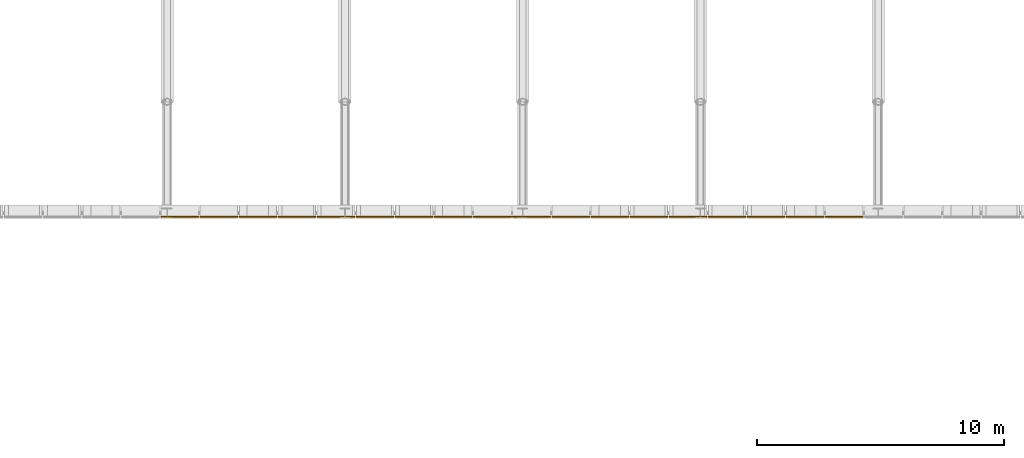
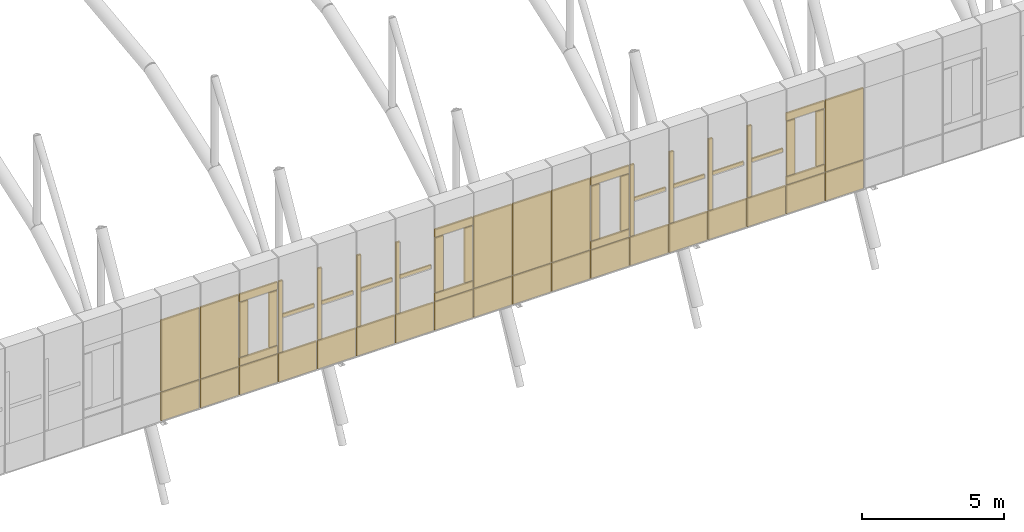
# One storey, part 133 of 144: 56 coverings.
"""IFC4 building model written with IfcOpenShell, lengths in metres."""

from ifc_helpers import new_model, si_unit, direction, frame, origin, origin_2d, place, context, subcontext, project, spatial, rectangle, extrude, material, layer, layer_set, type_object, element, save


model = new_model("IFC4")

# Units and contexts
model_context = context("Model", 3, precision=1e-05, world=origin(), true_north=direction((0.0, 1.0)))
body_context = subcontext(model_context, "Body", "Model", "MODEL_VIEW")
ifc_project = project(units=[si_unit("LENGTHUNIT", "METRE"), si_unit("AREAUNIT", "SQUARE_METRE"), si_unit("VOLUMEUNIT", "CUBIC_METRE"), si_unit("PLANEANGLEUNIT", "RADIAN"), si_unit("MASSUNIT", "GRAM", prefix="KILO")], contexts=[model_context])

# Site, building, storey
site_placement = place(None, origin())
site = spatial("IfcSite", under=ifc_project, at=site_placement, CompositionType="ELEMENT")
building_placement = place(site_placement, origin())
building = spatial("IfcBuilding", under=site, at=building_placement, Name="Yarey Park Central Fire Station", CompositionType="ELEMENT")
storey_placement = place(building_placement, frame((0.0, 0.0, 10.199951171875)))
storey = spatial("IfcBuildingStorey", under=building, at=storey_placement, Name="L03", CompositionType="ELEMENT", Elevation=10.199951171875)

# Coverings
ifc_material = material(Name="Perforated Powder-Coated Aluminium Cladding", Category="aluminium")
ifc_layer_1 = layer(ifc_material, 0.0419921875)
ifc_layer_set_1 = layer_set([ifc_layer_1], Name="Perforated Powder-Coated Aluminium Cladding")
covering_type_1 = type_object("IfcCoveringType", Name="ENV_COV_PERF_1", PredefinedType="CLADDING", material=ifc_layer_set_1)
covering_1_placement = place(storey_placement, frame((86.904052734375, 57.43994140625, -0.43505859375), z_axis=(0.0, 0.0, 1.0), x_axis=(1.0, 0.0, 0.0)))
element("IfcCovering", 1, at=covering_1_placement, inside=storey, type_object=covering_type_1, Name="PERF_L03_1436", PredefinedType="CLADDING", context=body_context, shape_type="SweptSolid", body=[
    extrude(rectangle(XDim=1.5439453125, YDim=0.0419921875, at=origin_2d()), origin(), (0.0, 0.0, 1.0), 1.219970703125),
])
covering_2_placement = place(storey_placement, frame((86.904052734375, 57.43994140625, 0.81494140625), z_axis=(0.0, 0.0, 1.0), x_axis=(1.0, 0.0, 0.0)))
element("IfcCovering", 2, at=covering_2_placement, inside=storey, type_object=covering_type_1, Name="PERF_L03_1437", PredefinedType="CLADDING", context=body_context, shape_type="SweptSolid", body=[
    extrude(rectangle(XDim=1.5439453125, YDim=0.0419921875, at=origin_2d()), origin(), (0.0, 0.0, 1.0), 3.070068359375),
])
covering_3_placement = place(storey_placement, frame((90.072021484375, 57.43994140625, -0.43505859375), z_axis=(0.0, 0.0, 1.0), x_axis=(1.0, 0.0, 0.0)))
element("IfcCovering", 3, at=covering_3_placement, inside=storey, type_object=covering_type_1, Name="PERF_L03_1442", PredefinedType="CLADDING", context=body_context, shape_type="SweptSolid", body=[
    extrude(rectangle(XDim=1.5439453125, YDim=0.0419921875, at=origin_2d()), origin(), (0.0, 0.0, 1.0), 1.219970703125),
])
for number, where, z_axis, x_axis, name in (
    (4, (90.072021484375, 57.43994140625, 0.81005859375), (0.0, 0.0, 1.0), (1.0, 0.0, 0.0), "PERF_L03_1443"),
    (5, (90.072021484375, 57.43994140625, 3.5498046875), (0.0, 0.0, 1.0), (1.0, 0.0, 0.0), "PERF_L03_1444"),
):
    element("IfcCovering", number, at=place(storey_placement, frame(where, z_axis=z_axis, x_axis=x_axis)), inside=storey, type_object=covering_type_1, Name=name, PredefinedType="CLADDING", context=body_context, shape_type="SweptSolid", body=[
        extrude(rectangle(XDim=1.5439453125, YDim=0.0419921875, at=origin_2d()), origin(), (0.0, 0.0, 1.0), 0.340087890625),
    ])
for number, where, z_axis, x_axis, name in (
    (6, (89.47998046875, 57.43994140625, 1.175048828125), (0.0, 0.0, 1.0), (1.0, 0.0, 0.0), "PERF_L03_1445"),
    (7, (90.6640625, 57.43994140625, 1.175048828125), (0.0, 0.0, 1.0), (1.0, 0.0, 0.0), "PERF_L03_1446"),
):
    element("IfcCovering", number, at=place(storey_placement, frame(where, z_axis=z_axis, x_axis=x_axis)), inside=storey, type_object=covering_type_1, Name=name, PredefinedType="CLADDING", context=body_context, shape_type="SweptSolid", body=[
        extrude(rectangle(XDim=0.340087890625, YDim=0.0419921875, at=origin_2d()), origin(), (0.0, 0.0, 1.0), 2.35009765625),
    ])
covering_4_placement = place(storey_placement, frame((93.239990234375, 57.43994140625, -0.43505859375), z_axis=(0.0, 0.0, 1.0), x_axis=(1.0, 0.0, 0.0)))
element("IfcCovering", 8, at=covering_4_placement, inside=storey, type_object=covering_type_1, Name="PERF_L03_1452", PredefinedType="CLADDING", context=body_context, shape_type="SweptSolid", body=[
    extrude(rectangle(XDim=1.5439453125, YDim=0.0419921875, at=origin_2d()), origin(), (0.0, 0.0, 1.0), 1.219970703125),
])
covering_5_placement = place(storey_placement, frame((92.55810546875, 57.43994140625, 0.81494140625), z_axis=(0.0, 0.0, 1.0), x_axis=(1.0, 0.0, 0.0)))
element("IfcCovering", 9, at=covering_5_placement, inside=storey, type_object=covering_type_1, Name="PERF_L03_1453", PredefinedType="CLADDING", context=body_context, shape_type="SweptSolid", body=[
    extrude(rectangle(XDim=0.159912109375, YDim=0.0419921875, at=origin_2d()), origin(), (0.0, 0.0, 1.0), 3.070068359375),
])
covering_6_placement = place(storey_placement, frame((93.239990234375, 57.43994140625, 2.27001953125), z_axis=(0.0, 0.0, 1.0), x_axis=(1.0, 0.0, 0.0)))
element("IfcCovering", 10, at=covering_6_placement, inside=storey, type_object=covering_type_1, Name="PERF_L03_1454", PredefinedType="CLADDING", context=body_context, shape_type="SweptSolid", body=[
    extrude(rectangle(XDim=1.343994140625, YDim=0.0419921875, at=origin_2d()), origin(), (0.0, 0.0, 1.0), 0.159912109375),
])
covering_7_placement = place(storey_placement, frame((96.407958984375, 57.43994140625, -0.43505859375), z_axis=(0.0, 0.0, 1.0), x_axis=(1.0, 0.0, 0.0)))
element("IfcCovering", 11, at=covering_7_placement, inside=storey, type_object=covering_type_1, Name="PERF_L03_1460", PredefinedType="CLADDING", context=body_context, shape_type="SweptSolid", body=[
    extrude(rectangle(XDim=1.5439453125, YDim=0.0419921875, at=origin_2d()), origin(), (0.0, 0.0, 1.0), 1.219970703125),
])
covering_8_placement = place(storey_placement, frame((95.72607421875, 57.43994140625, 0.81494140625), z_axis=(0.0, 0.0, 1.0), x_axis=(1.0, 0.0, 0.0)))
element("IfcCovering", 12, at=covering_8_placement, inside=storey, type_object=covering_type_1, Name="PERF_L03_1461", PredefinedType="CLADDING", context=body_context, shape_type="SweptSolid", body=[
    extrude(rectangle(XDim=0.159912109375, YDim=0.0419921875, at=origin_2d()), origin(), (0.0, 0.0, 1.0), 3.070068359375),
])
covering_9_placement = place(storey_placement, frame((96.407958984375, 57.43994140625, 2.27001953125), z_axis=(0.0, 0.0, 1.0), x_axis=(1.0, 0.0, 0.0)))
element("IfcCovering", 13, at=covering_9_placement, inside=storey, type_object=covering_type_1, Name="PERF_L03_1462", PredefinedType="CLADDING", context=body_context, shape_type="SweptSolid", body=[
    extrude(rectangle(XDim=1.343994140625, YDim=0.0419921875, at=origin_2d()), origin(), (0.0, 0.0, 1.0), 0.159912109375),
])
covering_10_placement = place(storey_placement, frame((99.575927734375, 57.43994140625, -0.43505859375), z_axis=(0.0, 0.0, 1.0), x_axis=(1.0, 0.0, 0.0)))
element("IfcCovering", 14, at=covering_10_placement, inside=storey, type_object=covering_type_1, Name="PERF_L03_1470", PredefinedType="CLADDING", context=body_context, shape_type="SweptSolid", body=[
    extrude(rectangle(XDim=1.5439453125, YDim=0.0419921875, at=origin_2d()), origin(), (0.0, 0.0, 1.0), 1.219970703125),
])
covering_11_placement = place(storey_placement, frame((99.575927734375, 57.43994140625, 0.81494140625), z_axis=(0.0, 0.0, 1.0), x_axis=(1.0, 0.0, 0.0)))
element("IfcCovering", 15, at=covering_11_placement, inside=storey, type_object=covering_type_1, Name="PERF_L03_1471", PredefinedType="CLADDING", context=body_context, shape_type="SweptSolid", body=[
    extrude(rectangle(XDim=1.5439453125, YDim=0.0419921875, at=origin_2d()), origin(), (0.0, 0.0, 1.0), 3.070068359375),
])
covering_12_placement = place(storey_placement, frame((102.743896484375, 57.43994140625, -0.43505859375), z_axis=(0.0, 0.0, 1.0), x_axis=(1.0, 0.0, 0.0)))
element("IfcCovering", 16, at=covering_12_placement, inside=storey, type_object=covering_type_1, Name="PERF_L03_1476", PredefinedType="CLADDING", context=body_context, shape_type="SweptSolid", body=[
    extrude(rectangle(XDim=1.5439453125, YDim=0.0419921875, at=origin_2d()), origin(), (0.0, 0.0, 1.0), 1.219970703125),
])
covering_13_placement = place(storey_placement, frame((102.743896484375, 57.43994140625, 0.81494140625), z_axis=(0.0, 0.0, 1.0), x_axis=(1.0, 0.0, 0.0)))
element("IfcCovering", 17, at=covering_13_placement, inside=storey, type_object=covering_type_1, Name="PERF_L03_1477", PredefinedType="CLADDING", context=body_context, shape_type="SweptSolid", body=[
    extrude(rectangle(XDim=1.5439453125, YDim=0.0419921875, at=origin_2d()), origin(), (0.0, 0.0, 1.0), 3.070068359375),
])
covering_14_placement = place(storey_placement, frame((105.912109375, 57.43994140625, -0.43505859375), z_axis=(0.0, 0.0, 1.0), x_axis=(1.0, 0.0, 0.0)))
element("IfcCovering", 18, at=covering_14_placement, inside=storey, type_object=covering_type_1, Name="PERF_L03_1485", PredefinedType="CLADDING", context=body_context, shape_type="SweptSolid", body=[
    extrude(rectangle(XDim=1.5439453125, YDim=0.0419921875, at=origin_2d()), origin(), (0.0, 0.0, 1.0), 1.219970703125),
])
covering_15_placement = place(storey_placement, frame((105.22998046875, 57.43994140625, 0.81494140625), z_axis=(0.0, 0.0, 1.0), x_axis=(1.0, 0.0, 0.0)))
element("IfcCovering", 19, at=covering_15_placement, inside=storey, type_object=covering_type_1, Name="PERF_L03_1486", PredefinedType="CLADDING", context=body_context, shape_type="SweptSolid", body=[
    extrude(rectangle(XDim=0.159912109375, YDim=0.0419921875, at=origin_2d()), origin(), (0.0, 0.0, 1.0), 3.070068359375),
])
covering_16_placement = place(storey_placement, frame((105.912109375, 57.43994140625, 2.27001953125), z_axis=(0.0, 0.0, 1.0), x_axis=(1.0, 0.0, 0.0)))
element("IfcCovering", 20, at=covering_16_placement, inside=storey, type_object=covering_type_1, Name="PERF_L03_1487", PredefinedType="CLADDING", context=body_context, shape_type="SweptSolid", body=[
    extrude(rectangle(XDim=1.343994140625, YDim=0.0419921875, at=origin_2d()), origin(), (0.0, 0.0, 1.0), 0.159912109375),
])
covering_17_placement = place(storey_placement, frame((109.080078125, 57.43994140625, -0.43505859375), z_axis=(0.0, 0.0, 1.0), x_axis=(1.0, 0.0, 0.0)))
element("IfcCovering", 21, at=covering_17_placement, inside=storey, type_object=covering_type_1, Name="PERF_L03_1493", PredefinedType="CLADDING", context=body_context, shape_type="SweptSolid", body=[
    extrude(rectangle(XDim=1.5439453125, YDim=0.0419921875, at=origin_2d()), origin(), (0.0, 0.0, 1.0), 1.219970703125),
])
covering_18_placement = place(storey_placement, frame((108.39794921875, 57.43994140625, 0.81494140625), z_axis=(0.0, 0.0, 1.0), x_axis=(1.0, 0.0, 0.0)))
element("IfcCovering", 22, at=covering_18_placement, inside=storey, type_object=covering_type_1, Name="PERF_L03_1494", PredefinedType="CLADDING", context=body_context, shape_type="SweptSolid", body=[
    extrude(rectangle(XDim=0.159912109375, YDim=0.0419921875, at=origin_2d()), origin(), (0.0, 0.0, 1.0), 3.070068359375),
])
covering_19_placement = place(storey_placement, frame((109.080078125, 57.43994140625, 2.27001953125), z_axis=(0.0, 0.0, 1.0), x_axis=(1.0, 0.0, 0.0)))
element("IfcCovering", 23, at=covering_19_placement, inside=storey, type_object=covering_type_1, Name="PERF_L03_1495", PredefinedType="CLADDING", context=body_context, shape_type="SweptSolid", body=[
    extrude(rectangle(XDim=1.343994140625, YDim=0.0419921875, at=origin_2d()), origin(), (0.0, 0.0, 1.0), 0.159912109375),
])
covering_20_placement = place(storey_placement, frame((112.248046875, 57.43994140625, -0.43505859375), z_axis=(0.0, 0.0, 1.0), x_axis=(1.0, 0.0, 0.0)))
element("IfcCovering", 24, at=covering_20_placement, inside=storey, type_object=covering_type_1, Name="PERF_L03_1501", PredefinedType="CLADDING", context=body_context, shape_type="SweptSolid", body=[
    extrude(rectangle(XDim=1.5439453125, YDim=0.0419921875, at=origin_2d()), origin(), (0.0, 0.0, 1.0), 1.219970703125),
])
for number, where, z_axis, x_axis, name in (
    (25, (112.248046875, 57.43994140625, 0.81005859375), (0.0, 0.0, 1.0), (1.0, 0.0, 0.0), "PERF_L03_1502"),
    (26, (112.248046875, 57.43994140625, 3.5498046875), (0.0, 0.0, 1.0), (1.0, 0.0, 0.0), "PERF_L03_1503"),
):
    element("IfcCovering", number, at=place(storey_placement, frame(where, z_axis=z_axis, x_axis=x_axis)), inside=storey, type_object=covering_type_1, Name=name, PredefinedType="CLADDING", context=body_context, shape_type="SweptSolid", body=[
        extrude(rectangle(XDim=1.5439453125, YDim=0.0419921875, at=origin_2d()), origin(), (0.0, 0.0, 1.0), 0.340087890625),
    ])
for number, where, z_axis, x_axis, name in (
    (27, (111.656005859375, 57.43994140625, 1.175048828125), (0.0, 0.0, 1.0), (1.0, 0.0, 0.0), "PERF_L03_1504"),
    (28, (112.840087890625, 57.43994140625, 1.175048828125), (0.0, 0.0, 1.0), (1.0, 0.0, 0.0), "PERF_L03_1505"),
):
    element("IfcCovering", number, at=place(storey_placement, frame(where, z_axis=z_axis, x_axis=x_axis)), inside=storey, type_object=covering_type_1, Name=name, PredefinedType="CLADDING", context=body_context, shape_type="SweptSolid", body=[
        extrude(rectangle(XDim=0.340087890625, YDim=0.0419921875, at=origin_2d()), origin(), (0.0, 0.0, 1.0), 2.35009765625),
    ])
ifc_layer_2 = layer(ifc_material, 0.053955078125)
ifc_layer_set_2 = layer_set([ifc_layer_2], Name="Perforated Powder-Coated Aluminium Cladding")
covering_type_2 = type_object("IfcCoveringType", Name="ENV_COV_PERF_2", PredefinedType="CLADDING", material=ifc_layer_set_2)
covering_21_placement = place(storey_placement, frame((88.488037109375, 57.43994140625, -0.43505859375), z_axis=(0.0, 0.0, 1.0), x_axis=(1.0, 0.0, 0.0)))
element("IfcCovering", 29, at=covering_21_placement, inside=storey, type_object=covering_type_2, Name="PERF_L03_1439", PredefinedType="CLADDING", context=body_context, shape_type="SweptSolid", body=[
    extrude(rectangle(XDim=1.5439453125, YDim=0.053955078125, at=origin_2d()), origin(), (0.0, 0.0, 1.0), 1.219970703125),
])
covering_22_placement = place(storey_placement, frame((88.488037109375, 57.43994140625, 0.81494140625), z_axis=(0.0, 0.0, 1.0), x_axis=(1.0, 0.0, 0.0)))
element("IfcCovering", 30, at=covering_22_placement, inside=storey, type_object=covering_type_2, Name="PERF_L03_1440", PredefinedType="CLADDING", context=body_context, shape_type="SweptSolid", body=[
    extrude(rectangle(XDim=1.5439453125, YDim=0.053955078125, at=origin_2d()), origin(), (0.0, 0.0, 1.0), 3.070068359375),
])
covering_23_placement = place(storey_placement, frame((91.656005859375, 57.43994140625, -0.43505859375), z_axis=(0.0, 0.0, 1.0), x_axis=(1.0, 0.0, 0.0)))
element("IfcCovering", 31, at=covering_23_placement, inside=storey, type_object=covering_type_2, Name="PERF_L03_1448", PredefinedType="CLADDING", context=body_context, shape_type="SweptSolid", body=[
    extrude(rectangle(XDim=1.5439453125, YDim=0.053955078125, at=origin_2d()), origin(), (0.0, 0.0, 1.0), 1.219970703125),
])
covering_24_placement = place(storey_placement, frame((90.97412109375, 57.43994140625, 0.81494140625), z_axis=(0.0, 0.0, 1.0), x_axis=(1.0, 0.0, 0.0)))
element("IfcCovering", 32, at=covering_24_placement, inside=storey, type_object=covering_type_2, Name="PERF_L03_1449", PredefinedType="CLADDING", context=body_context, shape_type="SweptSolid", body=[
    extrude(rectangle(XDim=0.159912109375, YDim=0.053955078125, at=origin_2d()), origin(), (0.0, 0.0, 1.0), 3.070068359375),
])
covering_25_placement = place(storey_placement, frame((91.656005859375, 57.43994140625, 2.27001953125), z_axis=(0.0, 0.0, 1.0), x_axis=(1.0, 0.0, 0.0)))
element("IfcCovering", 33, at=covering_25_placement, inside=storey, type_object=covering_type_2, Name="PERF_L03_1450", PredefinedType="CLADDING", context=body_context, shape_type="SweptSolid", body=[
    extrude(rectangle(XDim=1.343994140625, YDim=0.053955078125, at=origin_2d()), origin(), (0.0, 0.0, 1.0), 0.159912109375),
])
covering_26_placement = place(storey_placement, frame((94.823974609375, 57.43994140625, -0.43505859375), z_axis=(0.0, 0.0, 1.0), x_axis=(1.0, 0.0, 0.0)))
element("IfcCovering", 34, at=covering_26_placement, inside=storey, type_object=covering_type_2, Name="PERF_L03_1456", PredefinedType="CLADDING", context=body_context, shape_type="SweptSolid", body=[
    extrude(rectangle(XDim=1.5439453125, YDim=0.053955078125, at=origin_2d()), origin(), (0.0, 0.0, 1.0), 1.219970703125),
])
covering_27_placement = place(storey_placement, frame((94.14208984375, 57.43994140625, 0.81494140625), z_axis=(0.0, 0.0, 1.0), x_axis=(1.0, 0.0, 0.0)))
element("IfcCovering", 35, at=covering_27_placement, inside=storey, type_object=covering_type_2, Name="PERF_L03_1457", PredefinedType="CLADDING", context=body_context, shape_type="SweptSolid", body=[
    extrude(rectangle(XDim=0.159912109375, YDim=0.053955078125, at=origin_2d()), origin(), (0.0, 0.0, 1.0), 3.070068359375),
])
covering_28_placement = place(storey_placement, frame((94.823974609375, 57.43994140625, 2.27001953125), z_axis=(0.0, 0.0, 1.0), x_axis=(1.0, 0.0, 0.0)))
element("IfcCovering", 36, at=covering_28_placement, inside=storey, type_object=covering_type_2, Name="PERF_L03_1458", PredefinedType="CLADDING", context=body_context, shape_type="SweptSolid", body=[
    extrude(rectangle(XDim=1.343994140625, YDim=0.053955078125, at=origin_2d()), origin(), (0.0, 0.0, 1.0), 0.159912109375),
])
covering_29_placement = place(storey_placement, frame((97.991943359375, 57.43994140625, -0.43505859375), z_axis=(0.0, 0.0, 1.0), x_axis=(1.0, 0.0, 0.0)))
element("IfcCovering", 37, at=covering_29_placement, inside=storey, type_object=covering_type_2, Name="PERF_L03_1464", PredefinedType="CLADDING", context=body_context, shape_type="SweptSolid", body=[
    extrude(rectangle(XDim=1.5439453125, YDim=0.053955078125, at=origin_2d()), origin(), (0.0, 0.0, 1.0), 1.219970703125),
])
for number, where, z_axis, x_axis, name in (
    (38, (97.991943359375, 57.43994140625, 0.81005859375), (0.0, 0.0, 1.0), (1.0, 0.0, 0.0), "PERF_L03_1465"),
    (39, (97.991943359375, 57.43994140625, 3.5498046875), (0.0, 0.0, 1.0), (1.0, 0.0, 0.0), "PERF_L03_1466"),
):
    element("IfcCovering", number, at=place(storey_placement, frame(where, z_axis=z_axis, x_axis=x_axis)), inside=storey, type_object=covering_type_2, Name=name, PredefinedType="CLADDING", context=body_context, shape_type="SweptSolid", body=[
        extrude(rectangle(XDim=1.5439453125, YDim=0.053955078125, at=origin_2d()), origin(), (0.0, 0.0, 1.0), 0.340087890625),
    ])
for number, where, z_axis, x_axis, name in (
    (40, (97.39990234375, 57.43994140625, 1.175048828125), (0.0, 0.0, 1.0), (1.0, 0.0, 0.0), "PERF_L03_1467"),
    (41, (98.583984375, 57.43994140625, 1.175048828125), (0.0, 0.0, 1.0), (1.0, 0.0, 0.0), "PERF_L03_1468"),
):
    element("IfcCovering", number, at=place(storey_placement, frame(where, z_axis=z_axis, x_axis=x_axis)), inside=storey, type_object=covering_type_2, Name=name, PredefinedType="CLADDING", context=body_context, shape_type="SweptSolid", body=[
        extrude(rectangle(XDim=0.340087890625, YDim=0.053955078125, at=origin_2d()), origin(), (0.0, 0.0, 1.0), 2.35009765625),
    ])
covering_30_placement = place(storey_placement, frame((101.159912109375, 57.43994140625, -0.43505859375), z_axis=(0.0, 0.0, 1.0), x_axis=(1.0, 0.0, 0.0)))
element("IfcCovering", 42, at=covering_30_placement, inside=storey, type_object=covering_type_2, Name="PERF_L03_1473", PredefinedType="CLADDING", context=body_context, shape_type="SweptSolid", body=[
    extrude(rectangle(XDim=1.5439453125, YDim=0.053955078125, at=origin_2d()), origin(), (0.0, 0.0, 1.0), 1.219970703125),
])
covering_31_placement = place(storey_placement, frame((101.159912109375, 57.43994140625, 0.81494140625), z_axis=(0.0, 0.0, 1.0), x_axis=(1.0, 0.0, 0.0)))
element("IfcCovering", 43, at=covering_31_placement, inside=storey, type_object=covering_type_2, Name="PERF_L03_1474", PredefinedType="CLADDING", context=body_context, shape_type="SweptSolid", body=[
    extrude(rectangle(XDim=1.5439453125, YDim=0.053955078125, at=origin_2d()), origin(), (0.0, 0.0, 1.0), 3.070068359375),
])
covering_32_placement = place(storey_placement, frame((104.327880859375, 57.43994140625, -0.43505859375), z_axis=(0.0, 0.0, 1.0), x_axis=(1.0, 0.0, 0.0)))
element("IfcCovering", 44, at=covering_32_placement, inside=storey, type_object=covering_type_2, Name="PERF_L03_1479", PredefinedType="CLADDING", context=body_context, shape_type="SweptSolid", body=[
    extrude(rectangle(XDim=1.5439453125, YDim=0.053955078125, at=origin_2d()), origin(), (0.0, 0.0, 1.0), 1.219970703125),
])
for number, where, z_axis, x_axis, name in (
    (45, (104.327880859375, 57.43994140625, 0.81005859375), (0.0, 0.0, 1.0), (1.0, 0.0, 0.0), "PERF_L03_1480"),
    (46, (104.327880859375, 57.43994140625, 3.5498046875), (0.0, 0.0, 1.0), (1.0, 0.0, 0.0), "PERF_L03_1481"),
):
    element("IfcCovering", number, at=place(storey_placement, frame(where, z_axis=z_axis, x_axis=x_axis)), inside=storey, type_object=covering_type_2, Name=name, PredefinedType="CLADDING", context=body_context, shape_type="SweptSolid", body=[
        extrude(rectangle(XDim=1.5439453125, YDim=0.053955078125, at=origin_2d()), origin(), (0.0, 0.0, 1.0), 0.340087890625),
    ])
for number, where, z_axis, x_axis, name in (
    (47, (103.736083984375, 57.43994140625, 1.175048828125), (0.0, 0.0, 1.0), (1.0, 0.0, 0.0), "PERF_L03_1482"),
    (48, (104.919921875, 57.43994140625, 1.175048828125), (0.0, 0.0, 1.0), (1.0, 0.0, 0.0), "PERF_L03_1483"),
):
    element("IfcCovering", number, at=place(storey_placement, frame(where, z_axis=z_axis, x_axis=x_axis)), inside=storey, type_object=covering_type_2, Name=name, PredefinedType="CLADDING", context=body_context, shape_type="SweptSolid", body=[
        extrude(rectangle(XDim=0.340087890625, YDim=0.053955078125, at=origin_2d()), origin(), (0.0, 0.0, 1.0), 2.35009765625),
    ])
covering_33_placement = place(storey_placement, frame((107.49609375, 57.43994140625, -0.43505859375), z_axis=(0.0, 0.0, 1.0), x_axis=(1.0, 0.0, 0.0)))
element("IfcCovering", 49, at=covering_33_placement, inside=storey, type_object=covering_type_2, Name="PERF_L03_1489", PredefinedType="CLADDING", context=body_context, shape_type="SweptSolid", body=[
    extrude(rectangle(XDim=1.5439453125, YDim=0.053955078125, at=origin_2d()), origin(), (0.0, 0.0, 1.0), 1.219970703125),
])
covering_34_placement = place(storey_placement, frame((106.81396484375, 57.43994140625, 0.81494140625), z_axis=(0.0, 0.0, 1.0), x_axis=(1.0, 0.0, 0.0)))
element("IfcCovering", 50, at=covering_34_placement, inside=storey, type_object=covering_type_2, Name="PERF_L03_1490", PredefinedType="CLADDING", context=body_context, shape_type="SweptSolid", body=[
    extrude(rectangle(XDim=0.159912109375, YDim=0.053955078125, at=origin_2d()), origin(), (0.0, 0.0, 1.0), 3.070068359375),
])
covering_35_placement = place(storey_placement, frame((107.49609375, 57.43994140625, 2.27001953125), z_axis=(0.0, 0.0, 1.0), x_axis=(1.0, 0.0, 0.0)))
element("IfcCovering", 51, at=covering_35_placement, inside=storey, type_object=covering_type_2, Name="PERF_L03_1491", PredefinedType="CLADDING", context=body_context, shape_type="SweptSolid", body=[
    extrude(rectangle(XDim=1.343994140625, YDim=0.053955078125, at=origin_2d()), origin(), (0.0, 0.0, 1.0), 0.159912109375),
])
covering_36_placement = place(storey_placement, frame((110.6640625, 57.43994140625, -0.43505859375), z_axis=(0.0, 0.0, 1.0), x_axis=(1.0, 0.0, 0.0)))
element("IfcCovering", 52, at=covering_36_placement, inside=storey, type_object=covering_type_2, Name="PERF_L03_1497", PredefinedType="CLADDING", context=body_context, shape_type="SweptSolid", body=[
    extrude(rectangle(XDim=1.5439453125, YDim=0.053955078125, at=origin_2d()), origin(), (0.0, 0.0, 1.0), 1.219970703125),
])
covering_37_placement = place(storey_placement, frame((109.98193359375, 57.43994140625, 0.81494140625), z_axis=(0.0, 0.0, 1.0), x_axis=(1.0, 0.0, 0.0)))
element("IfcCovering", 53, at=covering_37_placement, inside=storey, type_object=covering_type_2, Name="PERF_L03_1498", PredefinedType="CLADDING", context=body_context, shape_type="SweptSolid", body=[
    extrude(rectangle(XDim=0.159912109375, YDim=0.053955078125, at=origin_2d()), origin(), (0.0, 0.0, 1.0), 3.070068359375),
])
covering_38_placement = place(storey_placement, frame((110.6640625, 57.43994140625, 2.27001953125), z_axis=(0.0, 0.0, 1.0), x_axis=(1.0, 0.0, 0.0)))
element("IfcCovering", 54, at=covering_38_placement, inside=storey, type_object=covering_type_2, Name="PERF_L03_1499", PredefinedType="CLADDING", context=body_context, shape_type="SweptSolid", body=[
    extrude(rectangle(XDim=1.343994140625, YDim=0.053955078125, at=origin_2d()), origin(), (0.0, 0.0, 1.0), 0.159912109375),
])
covering_39_placement = place(storey_placement, frame((113.83203125, 57.43994140625, -0.43505859375), z_axis=(0.0, 0.0, 1.0), x_axis=(1.0, 0.0, 0.0)))
element("IfcCovering", 55, at=covering_39_placement, inside=storey, type_object=covering_type_2, Name="PERF_L03_1507", PredefinedType="CLADDING", context=body_context, shape_type="SweptSolid", body=[
    extrude(rectangle(XDim=1.5439453125, YDim=0.053955078125, at=origin_2d()), origin(), (0.0, 0.0, 1.0), 1.219970703125),
])
covering_40_placement = place(storey_placement, frame((113.83203125, 57.43994140625, 0.81494140625), z_axis=(0.0, 0.0, 1.0), x_axis=(1.0, 0.0, 0.0)))
element("IfcCovering", 56, at=covering_40_placement, inside=storey, type_object=covering_type_2, Name="PERF_L03_1508", PredefinedType="CLADDING", context=body_context, shape_type="SweptSolid", body=[
    extrude(rectangle(XDim=1.5439453125, YDim=0.053955078125, at=origin_2d()), origin(), (0.0, 0.0, 1.0), 3.070068359375),
])

save(model, "model.ifc")
